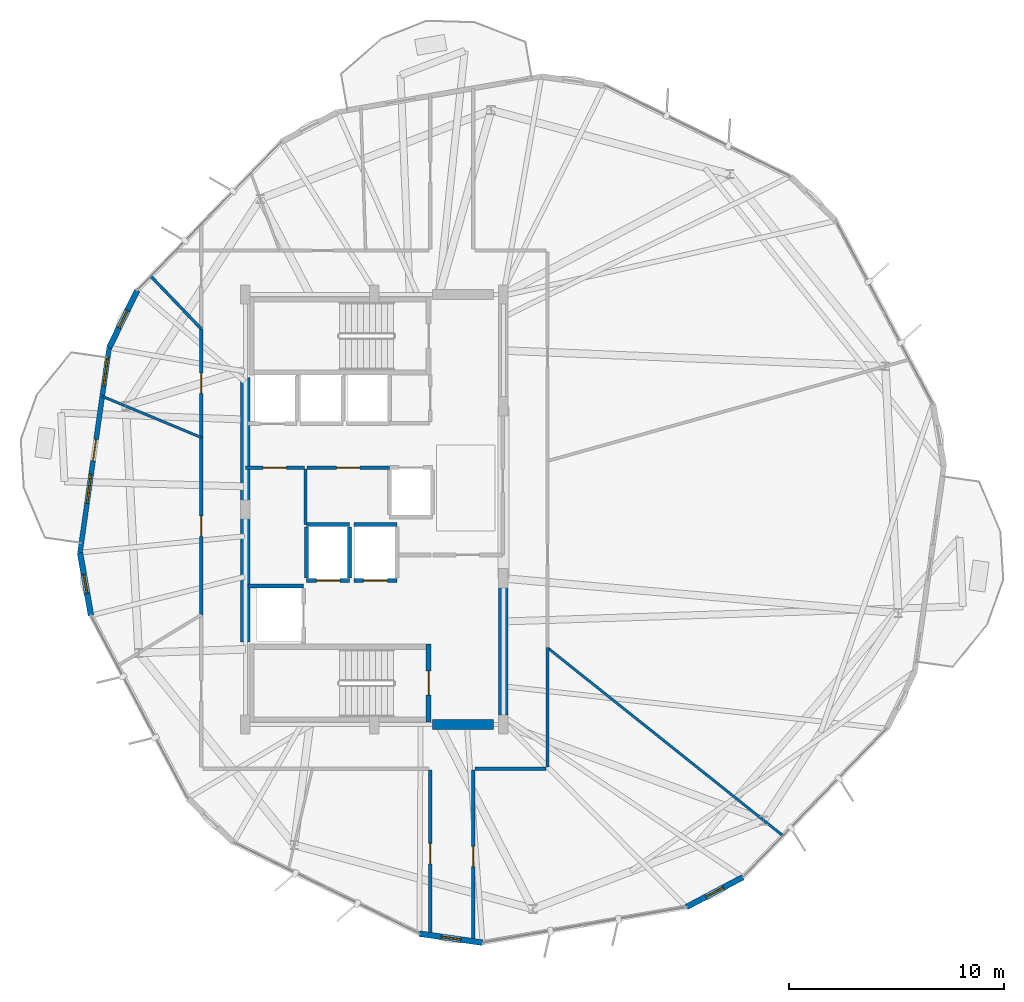
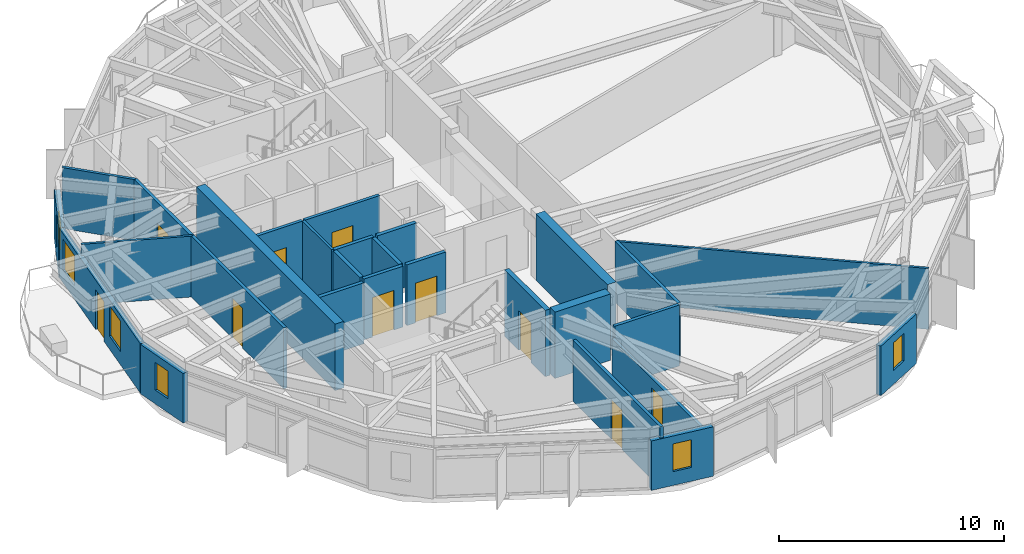
# One storey, part 23 of 28: 28 walls, 10 doors, 6 windows, 16 openings.
"""IFC4 building model written with IfcOpenShell, lengths in metres."""

import ifcopenshell
import ifcopenshell.guid

model = None  # the IFC model being written
_history = None  # IfcOwnerHistory: only IFC2X3 demands one
_inside = {}  # id of a spatial element -> (the spatial element, [elements in it])
_under = {}  # id of a project, library or spatial element -> (it, [spatial elements below it])
_declared = {}  # id of a project -> (the project, [libraries it declares])
_typed = {}  # id of a type object -> (the type object, [elements of that type])
_made_of = {}  # id of a material, layer set ... -> (it, [elements and type objects made of it])


def new_model(schema):
    """Start an empty IFC model of exactly this schema.

    Asked for "IFC4X3", IfcOpenShell would pick the latest addendum, in which some entities
    have other attributes; the version numbers below select the first issue.
    IFC2X3 requires an IfcOwnerHistory on every rooted entity: one is made here for all.
    """
    global model, _history
    if schema == "IFC4X3":
        model = ifcopenshell.file(schema_version=(4, 3, 0, 0))
    else:
        model = ifcopenshell.file(schema=schema)
    _inside.clear()
    _under.clear()
    _declared.clear()
    _typed.clear()
    _made_of.clear()
    _history = None
    if model.schema == "IFC2X3":
        org = make("IfcOrganization", Name="unknown")
        user = make(
            "IfcPersonAndOrganization",
            ThePerson=make("IfcPerson", FamilyName="unknown"),
            TheOrganization=org,
        )
        app = make(
            "IfcApplication",
            ApplicationDeveloper=org,
            Version="unknown",
            ApplicationFullName="unknown",
            ApplicationIdentifier="unknown",
        )
        _history = make(
            "IfcOwnerHistory",
            OwningUser=user,
            OwningApplication=app,
            ChangeAction="ADDED",
            CreationDate=0,
        )
    return model


def make(cls, **values):
    """One entity of the class cls with the attributes given. An attribute that is None is left unset."""
    return model.create_entity(
        cls, **{name: value for name, value in values.items() if value is not None}
    )


def rooted(cls, **values):
    """An entity with a GlobalId (a new one), such as an element, a storey or a relation."""
    return make(cls, GlobalId=ifcopenshell.guid.new(), OwnerHistory=_history, **values)


def si_unit(unit_type, name, prefix=None):
    """IfcSIUnit, for example si_unit("LENGTHUNIT", "METRE", prefix="MILLI")."""
    return make("IfcSIUnit", UnitType=unit_type, Prefix=prefix, Name=name)


def assignment(units):
    """IfcUnitAssignment: the units of a project."""
    return None if units is None else make("IfcUnitAssignment", Units=units)


def point(xyz):
    """IfcCartesianPoint."""
    return None if xyz is None else make("IfcCartesianPoint", Coordinates=xyz)


def direction(xyz):
    """IfcDirection."""
    return None if xyz is None else make("IfcDirection", DirectionRatios=xyz)


def frame(location, z_axis=None, x_axis=None):
    """IfcAxis2Placement3D, a coordinate frame: its origin and axes. An axis left out is left unset."""
    return make(
        "IfcAxis2Placement3D",
        Location=point(location),
        Axis=direction(z_axis),
        RefDirection=direction(x_axis),
    )


def frame_2d(location, x_axis=None):
    """IfcAxis2Placement2D, a coordinate frame in the plane: its origin and x axis."""
    return make(
        "IfcAxis2Placement2D", Location=point(location), RefDirection=direction(x_axis)
    )


def origin():
    """The frame at (0, 0, 0) with its axes left unset."""
    return frame((0.0, 0.0, 0.0))


def place(relative_to, where):
    """IfcLocalPlacement: puts the frame where relative to a parent placement (None: the world)."""
    return make(
        "IfcLocalPlacement", PlacementRelTo=relative_to, RelativePlacement=where
    )


def context(
    kind, dimensions, precision=None, world=None, true_north=None, identifier=None
):
    """IfcGeometricRepresentationContext, for example the 3D "Model" context."""
    return make(
        "IfcGeometricRepresentationContext",
        ContextIdentifier=identifier,
        ContextType=kind,
        CoordinateSpaceDimension=dimensions,
        Precision=precision,
        WorldCoordinateSystem=world,
        TrueNorth=true_north,
    )


def subcontext(parent, identifier, kind, view, scale=None):
    """IfcGeometricRepresentationSubContext, for example "Body" below "Model"."""
    return make(
        "IfcGeometricRepresentationSubContext",
        ContextIdentifier=identifier,
        ContextType=kind,
        ParentContext=parent,
        TargetScale=scale,
        TargetView=view,
    )


def project(units=None, contexts=None):
    """IfcProject with its units and contexts."""
    return rooted(
        "IfcProject",
        Name="project",
        RepresentationContexts=contexts,
        UnitsInContext=assignment(units),
    )


def spatial(cls, under=None, at=None, **own):
    """A site, building, storey or space (cls), placed at a placement, below another one or the project."""
    s = rooted(cls, ObjectPlacement=at, **own)
    if under is not None:
        _under.setdefault(under.id(), (under, []))[1].append(s)
    return s


def profile(cls, at=None, kind="AREA", **sizes):
    """A parametric profile (cls). Its sizes go by their IFC names, for example OverallWidth=200.0."""
    return make(cls, ProfileType=kind, Position=at, **sizes)


def rectangle(**sizes):
    """IfcRectangleProfileDef."""
    return profile("IfcRectangleProfileDef", **sizes)


def extrude(swept, where, along, depth):
    """IfcExtrudedAreaSolid: the profile swept, set in the frame where, extruded along a direction by depth."""
    return make(
        "IfcExtrudedAreaSolid",
        SweptArea=swept,
        Position=where,
        ExtrudedDirection=direction(along),
        Depth=depth,
    )


def shape(context_of_items, identifier, shape_type, items):
    """IfcShapeRepresentation: the items that make up one representation, for example the "Body"."""
    return make(
        "IfcShapeRepresentation",
        ContextOfItems=context_of_items,
        RepresentationIdentifier=identifier,
        RepresentationType=shape_type,
        Items=items,
    )


def material(Name=None, Category=None):
    """IfcMaterial."""
    return make("IfcMaterial", Name=Name, Category=Category)


def layer(
    of_material, thickness, ventilated=None, Name=None, Category=None, Priority=None
):
    """IfcMaterialLayer: one layer of a wall or slab, of a material (None: an air gap)."""
    return make(
        "IfcMaterialLayer",
        Material=of_material,
        LayerThickness=thickness,
        IsVentilated=ventilated,
        Name=Name,
        Category=Category,
        Priority=Priority,
    )


def layer_set(layers, Name=None):
    """IfcMaterialLayerSet."""
    return make("IfcMaterialLayerSet", MaterialLayers=layers, LayerSetName=Name)


def made_of(thing, what):
    """Note that an element or type object is made of a material, layer set ...; save() writes the relation."""
    if what is not None:
        _made_of.setdefault(what.id(), (what, []))[1].append(thing)
    return thing


def type_object(cls, material=None, **own):
    """A type object (cls), such as IfcWallType, which elements share."""
    return made_of(rooted(cls, **own), material)


def element(
    cls,
    number,
    at=None,
    inside=None,
    cuts=None,
    type_object=None,
    material=None,
    context=None,
    identifier="Body",
    shape_type=None,
    held_by="IfcProductDefinitionShape",
    body=None,
    shapes=None,
    **own,
):
    """One element of the class cls, such as IfcWall. Its Tag is "e" and its number.

    at: its placement. inside: the storey or other place that contains it. cuts: it is an
    opening in that element (IfcRelVoidsElement). A single representation is given by context,
    identifier, shape_type and body (its items); several are given by shapes. held_by: the class
    of the entity that holds the representations. save() writes the other relations.
    """
    e = rooted(cls, Tag="e%d" % number, ObjectPlacement=at, **own)
    if body is not None:
        shapes = [shape(context, identifier, shape_type, body)]
    if shapes is not None:
        e.Representation = make(held_by, Representations=shapes)
    if inside is not None:
        _inside.setdefault(inside.id(), (inside, []))[1].append(e)
    if cuts is not None:
        rooted(
            "IfcRelVoidsElement", RelatingBuildingElement=cuts, RelatedOpeningElement=e
        )
    if type_object is not None:
        _typed.setdefault(type_object.id(), (type_object, []))[1].append(e)
    return made_of(e, material)


def fill(opening, filler):
    """IfcRelFillsElement: the door or window that sits in an opening."""
    return rooted(
        "IfcRelFillsElement",
        RelatingOpeningElement=opening,
        RelatedBuildingElement=filler,
    )


def aggregate(whole, parts):
    """IfcRelAggregates: a whole, such as a stair, and the parts it consists of."""
    return rooted("IfcRelAggregates", RelatingObject=whole, RelatedObjects=parts)


def save(model, path):
    """Write the relations noted so far, then the file.

    IfcRelAggregates (storeys below a building ...), IfcRelContainedInSpatialStructure (elements
    in a storey), IfcRelDefinesByType, IfcRelAssociatesMaterial and IfcRelDeclares: one each for
    every whole, place, type object, material and project.
    """
    for whole, parts in _under.values():
        aggregate(whole, parts)
    for where, things in _inside.values():
        rooted(
            "IfcRelContainedInSpatialStructure",
            RelatedElements=things,
            RelatingStructure=where,
        )
    for kind, things in _typed.values():
        rooted("IfcRelDefinesByType", RelatedObjects=things, RelatingType=kind)
    for what, things in _made_of.values():
        rooted("IfcRelAssociatesMaterial", RelatedObjects=things, RelatingMaterial=what)
    for by, libraries in _declared.values():
        rooted("IfcRelDeclares", RelatingContext=by, RelatedDefinitions=libraries)
    model.write(path)


model = new_model("IFC4")

# Units and contexts
model_context = context("Model", 3, precision=1e-05, world=origin(), true_north=direction((0.0, 1.0)))
body_context = subcontext(model_context, "Body", "Model", "MODEL_VIEW")
ifc_project = project(units=[si_unit("LENGTHUNIT", "METRE"), si_unit("AREAUNIT", "SQUARE_METRE"), si_unit("VOLUMEUNIT", "CUBIC_METRE"), si_unit("PLANEANGLEUNIT", "RADIAN"), si_unit("MASSUNIT", "GRAM", prefix="KILO")], contexts=[model_context])

# Site, building, storey
site_placement = place(None, origin())
site = spatial("IfcSite", under=ifc_project, at=site_placement, CompositionType="ELEMENT")
building_placement = place(site_placement, origin())
building = spatial("IfcBuilding", under=site, at=building_placement, Name="Soratama Intermodal Tower", CompositionType="ELEMENT")
storey_placement = place(building_placement, frame((0.0, 0.0, 201.39990234375)))
storey = spatial("IfcBuildingStorey", under=building, at=storey_placement, Name="L50", CompositionType="ELEMENT", Elevation=201.39990234375)

# Wall, openings, door, windows
ifc_material_1 = material(Name="Concrete f'c 42 MPa", Category="concrete")
ifc_layer_1 = layer(ifc_material_1, 0.22998046875)
ifc_layer_set_1 = layer_set([ifc_layer_1], Name="Concrete f'c 42 MPa")
wall_type_1 = type_object("IfcWallType", Name="EW-BAL-230", PredefinedType="SOLIDWALL", material=ifc_layer_set_1)
wall_1_placement = place(storey_placement, frame((26.263671875, 32.527099609375, 0.0), z_axis=(0.0, 0.0, 1.0), x_axis=(-0.14089216596, -0.990024947954, 0.0)))
wall_1 = element("IfcWall", 1, at=wall_1_placement, inside=storey, type_object=wall_type_1, Name="L50 Terrace Wall F04", PredefinedType="SOLIDWALL", context=body_context, shape_type="SweptSolid", body=[
    extrude(rectangle(XDim=9.6240234375, YDim=0.22998046875, at=frame_2d((4.81201171875, 0.0))), origin(), (0.0, 0.0, 1.0), 2.67919921875),
])
opening_1_placement = place(wall_1_placement, frame((4.31201171875, 0.0, 0.0)))
opening_1 = element("IfcOpeningElement", 2, at=opening_1_placement, cuts=wall_1, Name="Opening ED-2", PredefinedType="OPENING", context=body_context, shape_type="SweptSolid", body=[
    extrude(rectangle(XDim=1.0, YDim=2.14990234375, at=frame_2d((0.5, 1.074951171875))), frame((0.0, 0.125, 0.0), z_axis=(0.0, -1.0, 0.0), x_axis=(1.0, 0.0, 0.0)), (0.0, 0.0, 1.0), 0.25),
])
opening_2_placement = place(wall_1_placement, frame((0.43994140625, 0.0, 0.719970703125)))
opening_2 = element("IfcOpeningElement", 3, at=opening_2_placement, cuts=wall_1, Name="Opening WN-4", PredefinedType="OPENING", context=body_context, shape_type="SweptSolid", body=[
    extrude(rectangle(XDim=1.35009765625, YDim=1.64990234375, at=frame_2d((0.675048828125, 0.824951171875))), frame((0.0, 0.125, 0.0), z_axis=(0.0, -1.0, 0.0), x_axis=(1.0, 0.0, 0.0)), (0.0, 0.0, 1.0), 0.25),
])
opening_3_placement = place(wall_1_placement, frame((5.9521484375, 0.0, 0.719970703125)))
opening_3 = element("IfcOpeningElement", 4, at=opening_3_placement, cuts=wall_1, Name="Opening WN-4", PredefinedType="OPENING", context=body_context, shape_type="SweptSolid", body=[
    extrude(rectangle(XDim=1.35009765625, YDim=1.64990234375, at=frame_2d((0.675048828125, 0.824951171875))), frame((0.0, 0.125, 0.0), z_axis=(0.0, -1.0, 0.0), x_axis=(1.0, 0.0, 0.0)), (0.0, 0.0, 1.0), 0.25),
])
ifc_material_2 = material(Name="Double-glazed aluminium door", Category="aluminium")
door_type_1 = type_object("IfcDoorType", Name="DR-BAL-1000", OperationType="NOTDEFINED", PredefinedType="DOOR", material=ifc_material_2)
door_1_placement = place(opening_1_placement, origin())
door_1 = element("IfcDoor", 5, at=door_1_placement, inside=storey, type_object=door_type_1, Name="L50 Balcony Door F04", OperationType="SINGLE_SWING_RIGHT", OverallHeight=2.14990234375, OverallWidth=1.0, PredefinedType="DOOR", context=body_context, shape_type="SweptSolid", body=[
    extrude(rectangle(XDim=1.0, YDim=2.14990234375, at=frame_2d((0.5, 1.074951171875))), frame((0.0, 0.02490234375, 0.0), z_axis=(0.0, -1.0, 0.0), x_axis=(1.0, 0.0, 0.0)), (0.0, 0.0, 1.0), 0.050048828125),
])
fill(opening_1, door_1)
ifc_material_3 = material(Name="Double-glazed aluminium window", Category="aluminium")
window_type_1 = type_object("IfcWindowType", Name="WN-FAC-1350", PartitioningType="SINGLE_PANEL", PredefinedType="WINDOW", material=ifc_material_3)
window_1_placement = place(opening_2_placement, origin())
window_1 = element("IfcWindow", 6, at=window_1_placement, inside=storey, type_object=window_type_1, Name="L50 Window A F04", OverallHeight=1.64990234375, OverallWidth=1.35009765625, PartitioningType="SINGLE_PANEL", PredefinedType="WINDOW", context=body_context, shape_type="SweptSolid", body=[
    extrude(rectangle(XDim=1.35009765625, YDim=1.64990234375, at=frame_2d((0.675048828125, 0.824951171875))), frame((0.0, 0.030029296875, 0.0), z_axis=(0.0, -1.0, 0.0), x_axis=(1.0, 0.0, 0.0)), (0.0, 0.0, 1.0), 0.06005859375),
])
fill(opening_2, window_1)
window_2_placement = place(opening_3_placement, origin())
window_2 = element("IfcWindow", 7, at=window_2_placement, inside=storey, type_object=window_type_1, Name="L50 Window B F04", OverallHeight=1.64990234375, OverallWidth=1.35009765625, PartitioningType="SINGLE_PANEL", PredefinedType="WINDOW", context=body_context, shape_type="SweptSolid", body=[
    extrude(rectangle(XDim=1.35009765625, YDim=1.64990234375, at=frame_2d((0.675048828125, 0.824951171875))), frame((0.0, 0.030029296875, 0.0), z_axis=(0.0, -1.0, 0.0), x_axis=(1.0, 0.0, 0.0)), (0.0, 0.0, 1.0), 0.06005859375),
])
fill(opening_3, window_2)

# Wall, opening, window
ifc_material_4 = material(Name="Concrete f'c 42 MPa", Category="concrete")
ifc_layer_2 = layer(ifc_material_4, 0.27001953125)
ifc_layer_set_2 = layer_set([ifc_layer_2], Name="Concrete f'c 42 MPa")
wall_type_2 = type_object("IfcWallType", Name="EW-CRN-270", PredefinedType="SOLIDWALL", material=ifc_layer_set_2)
wall_2_placement = place(storey_placement, frame((27.56884765625, 35.191162109375, 0.0), z_axis=(0.0, 0.0, 1.0), x_axis=(-0.439956847616, -0.898018915299, 0.0)))
wall_2 = element("IfcWall", 8, at=wall_2_placement, inside=storey, type_object=wall_type_2, Name="L50 Corner Closure Wall 03", PredefinedType="SOLIDWALL", context=body_context, shape_type="SweptSolid", body=[
    extrude(rectangle(XDim=2.966552734375, YDim=0.27001953125, at=frame_2d((1.4833984375, 0.0))), origin(), (0.0, 0.0, 1.0), 2.67919921875),
])
opening_4_placement = place(wall_2_placement, frame((1.033203125, 0.0, 0.75)))
opening_4 = element("IfcOpeningElement", 9, at=opening_4_placement, cuts=wall_2, Name="Opening WN-6", PredefinedType="OPENING", context=body_context, shape_type="SweptSolid", body=[
    extrude(rectangle(XDim=0.89990234375, YDim=1.5, at=frame_2d((0.449951171875, 0.75))), frame((0.0, 0.14501953125, 0.0), z_axis=(0.0, -1.0, 0.0), x_axis=(1.0, 0.0, 0.0)), (0.0, 0.0, 1.0), 0.2900390625),
])
ifc_material_5 = material(Name="Double-glazed aluminium window", Category="aluminium")
window_type_2 = type_object("IfcWindowType", Name="WN-FAC-900", PartitioningType="SINGLE_PANEL", PredefinedType="WINDOW", material=ifc_material_5)
window_3_placement = place(opening_4_placement, origin())
window_3 = element("IfcWindow", 10, at=window_3_placement, inside=storey, type_object=window_type_2, Name="L50 Corner Window 03", OverallHeight=1.5, OverallWidth=0.89990234375, PartitioningType="SINGLE_PANEL", PredefinedType="WINDOW", context=body_context, shape_type="SweptSolid", body=[
    extrude(rectangle(XDim=0.89990234375, YDim=1.5, at=frame_2d((0.449951171875, 0.75))), frame((0.0, 0.030029296875, 0.0), z_axis=(0.0, -1.0, 0.0), x_axis=(1.0, 0.0, 0.0)), (0.0, 0.0, 1.0), 0.06005859375),
])
fill(opening_4, window_3)

wall_3_placement = place(storey_placement, frame((24.90771484375, 22.9990234375, 0.0), z_axis=(0.0, 0.0, 1.0), x_axis=(0.171921159352, -0.985110712036, 0.0)))
wall_3 = element("IfcWall", 11, at=wall_3_placement, inside=storey, type_object=wall_type_2, Name="L50 Corner Closure Wall 04", PredefinedType="SOLIDWALL", context=body_context, shape_type="SweptSolid", body=[
    extrude(rectangle(XDim=2.966552734375, YDim=0.27001953125, at=frame_2d((1.4833984375, 0.0))), origin(), (0.0, 0.0, 1.0), 2.67919921875),
])
opening_5_placement = place(wall_3_placement, frame((1.033203125, 0.0, 0.75)))
opening_5 = element("IfcOpeningElement", 12, at=opening_5_placement, cuts=wall_3, Name="Opening WN-6", PredefinedType="OPENING", context=body_context, shape_type="SweptSolid", body=[
    extrude(rectangle(XDim=0.89990234375, YDim=1.5, at=frame_2d((0.449951171875, 0.75))), frame((0.0, 0.14501953125, 0.0), z_axis=(0.0, -1.0, 0.0), x_axis=(1.0, 0.0, 0.0)), (0.0, 0.0, 1.0), 0.2900390625),
])
window_4_placement = place(opening_5_placement, origin())
window_4 = element("IfcWindow", 13, at=window_4_placement, inside=storey, type_object=window_type_2, Name="L50 Corner Window 04", OverallHeight=1.5, OverallWidth=0.89990234375, PartitioningType="SINGLE_PANEL", PredefinedType="WINDOW", context=body_context, shape_type="SweptSolid", body=[
    extrude(rectangle(XDim=0.89990234375, YDim=1.5, at=frame_2d((0.449951171875, 0.75))), frame((0.0, 0.030029296875, 0.0), z_axis=(0.0, -1.0, 0.0), x_axis=(1.0, 0.0, 0.0)), (0.0, 0.0, 1.0), 0.06005859375),
])
fill(opening_5, window_4)

wall_4_placement = place(storey_placement, frame((40.694091796875, 5.272705078125, 0.0), z_axis=(0.0, 0.0, 1.0), x_axis=(0.990025064431, -0.14089134749, 0.0)))
wall_4 = element("IfcWall", 14, at=wall_4_placement, inside=storey, type_object=wall_type_2, Name="L50 Corner Closure Wall 06", PredefinedType="SOLIDWALL", context=body_context, shape_type="SweptSolid", body=[
    extrude(rectangle(XDim=2.966552734375, YDim=0.27001953125, at=frame_2d((1.4833984375, 0.0))), origin(), (0.0, 0.0, 1.0), 2.67919921875),
])
opening_6_placement = place(wall_4_placement, frame((1.033203125, 0.0, 0.75)))
opening_6 = element("IfcOpeningElement", 15, at=opening_6_placement, cuts=wall_4, Name="Opening WN-6", PredefinedType="OPENING", context=body_context, shape_type="SweptSolid", body=[
    extrude(rectangle(XDim=0.89990234375, YDim=1.5, at=frame_2d((0.449951171875, 0.75))), frame((0.0, 0.14501953125, 0.0), z_axis=(0.0, -1.0, 0.0), x_axis=(1.0, 0.0, 0.0)), (0.0, 0.0, 1.0), 0.2900390625),
])
window_5_placement = place(opening_6_placement, origin())
window_5 = element("IfcWindow", 16, at=window_5_placement, inside=storey, type_object=window_type_2, Name="L50 Corner Window 06", OverallHeight=1.5, OverallWidth=0.89990234375, PartitioningType="SINGLE_PANEL", PredefinedType="WINDOW", context=body_context, shape_type="SweptSolid", body=[
    extrude(rectangle(XDim=0.89990234375, YDim=1.5, at=frame_2d((0.449951171875, 0.75))), frame((0.0, 0.030029296875, 0.0), z_axis=(0.0, -1.0, 0.0), x_axis=(1.0, 0.0, 0.0)), (0.0, 0.0, 1.0), 0.06005859375),
])
fill(opening_6, window_5)

wall_5_placement = place(storey_placement, frame((53.11181640625, 6.509521484375, 0.0), z_axis=(0.0, 0.0, 1.0), x_axis=(0.883799927138, 0.467865032664, 0.0)))
wall_5 = element("IfcWall", 17, at=wall_5_placement, inside=storey, type_object=wall_type_2, Name="L50 Corner Closure Wall 07", PredefinedType="SOLIDWALL", context=body_context, shape_type="SweptSolid", body=[
    extrude(rectangle(XDim=2.966552734375, YDim=0.27001953125, at=frame_2d((1.4833984375, 0.0))), origin(), (0.0, 0.0, 1.0), 2.67919921875),
])
opening_7_placement = place(wall_5_placement, frame((1.033203125, 0.0, 0.75)))
opening_7 = element("IfcOpeningElement", 18, at=opening_7_placement, cuts=wall_5, Name="Opening WN-6", PredefinedType="OPENING", context=body_context, shape_type="SweptSolid", body=[
    extrude(rectangle(XDim=0.89990234375, YDim=1.5, at=frame_2d((0.449951171875, 0.75))), frame((0.0, 0.14501953125, 0.0), z_axis=(0.0, -1.0, 0.0), x_axis=(1.0, 0.0, 0.0)), (0.0, 0.0, 1.0), 0.2900390625),
])
window_6_placement = place(opening_7_placement, origin())
window_6 = element("IfcWindow", 19, at=window_6_placement, inside=storey, type_object=window_type_2, Name="L50 Corner Window 07", OverallHeight=1.5, OverallWidth=0.89990234375, PartitioningType="SINGLE_PANEL", PredefinedType="WINDOW", context=body_context, shape_type="SweptSolid", body=[
    extrude(rectangle(XDim=0.89990234375, YDim=1.5, at=frame_2d((0.449951171875, 0.75))), frame((0.0, 0.030029296875, 0.0), z_axis=(0.0, -1.0, 0.0), x_axis=(1.0, 0.0, 0.0)), (0.0, 0.0, 1.0), 0.06005859375),
])
fill(opening_7, window_6)

# Wall, opening, door
ifc_material_6 = material(Name="Fire-rated gypsum stud partition", Category="concrete")
ifc_layer_3 = layer(ifc_material_6, 0.159912109375)
ifc_layer_set_3 = layer_set([ifc_layer_3], Name="Fire-rated gypsum stud partition")
wall_type_3 = type_object("IfcWallType", Name="IW-PART-R160", PredefinedType="PARTITIONING", material=ifc_layer_set_3)
wall_6_placement = place(storey_placement, frame((30.550048828125, 20.10595703125, 0.0), z_axis=(0.0, 0.0, 1.0), x_axis=(0.0, 1.0, 0.0)))
wall_6 = element("IfcWall", 20, at=wall_6_placement, inside=storey, type_object=wall_type_3, Name="L50 Partition W-L50-TP005", PredefinedType="PARTITIONING", context=body_context, shape_type="SweptSolid", body=[
    extrude(rectangle(XDim=8.2451171875, YDim=0.159912109375, at=frame_2d((4.12255859375, 0.0))), origin(), (0.0, 0.0, 1.0), 3.300048828125),
])
opening_8_placement = place(wall_6_placement, frame((3.64697265625, 0.0, 0.0)))
opening_8 = element("IfcOpeningElement", 21, at=opening_8_placement, cuts=wall_6, Name="Opening ID-3", PredefinedType="OPENING", context=body_context, shape_type="SweptSolid", body=[
    extrude(rectangle(XDim=0.949951171875, YDim=2.14990234375, at=frame_2d((0.47509765625, 1.074951171875))), frame((0.0, 0.08984375, 0.0), z_axis=(0.0, -1.0, 0.0), x_axis=(1.0, 0.0, 0.0)), (0.0, 0.0, 1.0), 0.179931640625),
])
ifc_material_7 = material(Name="Solid hardwood acoustic door", Category="wood")
door_type_2 = type_object("IfcDoorType", Name="DR-ROOM-950", OperationType="NOTDEFINED", PredefinedType="DOOR", material=ifc_material_7)
door_2_placement = place(opening_8_placement, origin())
door_2 = element("IfcDoor", 22, at=door_2_placement, inside=storey, type_object=door_type_2, Name="L50 Door D-L50-TP003", OperationType="SINGLE_SWING_RIGHT", OverallHeight=2.14990234375, OverallWidth=0.949951171875, PredefinedType="DOOR", context=body_context, shape_type="SweptSolid", body=[
    extrude(rectangle(XDim=0.949951171875, YDim=2.14990234375, at=frame_2d((0.47509765625, 1.074951171875))), frame((0.0, 0.02490234375, 0.0), z_axis=(0.0, -1.0, 0.0), x_axis=(1.0, 0.0, 0.0)), (0.0, 0.0, 1.0), 0.050048828125),
])
fill(opening_8, door_2)

wall_7_placement = place(storey_placement, frame((43.199951171875, 12.8798828125, 0.0), z_axis=(0.0, 0.0, 1.0), x_axis=(0.0, -1.0, 0.0)))
wall_7 = element("IfcWall", 23, at=wall_7_placement, inside=storey, type_object=wall_type_3, Name="L50 Partition W-L50-TP006", PredefinedType="PARTITIONING", context=body_context, shape_type="SweptSolid", body=[
    extrude(rectangle(XDim=8.031982421875, YDim=0.159912109375, at=frame_2d((4.01611328125, 0.0))), origin(), (0.0, 0.0, 1.0), 2.677978515625),
])
opening_9_placement = place(wall_7_placement, frame((3.541015625, 0.0, 0.0)))
opening_9 = element("IfcOpeningElement", 24, at=opening_9_placement, cuts=wall_7, Name="Opening ID-3", PredefinedType="OPENING", context=body_context, shape_type="SweptSolid", body=[
    extrude(rectangle(XDim=0.949951171875, YDim=2.14990234375, at=frame_2d((0.47509765625, 1.074951171875))), frame((0.0, 0.08984375, 0.0), z_axis=(0.0, -1.0, 0.0), x_axis=(1.0, 0.0, 0.0)), (0.0, 0.0, 1.0), 0.179931640625),
])
door_3_placement = place(opening_9_placement, origin())
door_3 = element("IfcDoor", 25, at=door_3_placement, inside=storey, type_object=door_type_2, Name="L50 Door D-L50-TP004", OperationType="SINGLE_SWING_LEFT", OverallHeight=2.14990234375, OverallWidth=0.949951171875, PredefinedType="DOOR", context=body_context, shape_type="SweptSolid", body=[
    extrude(rectangle(XDim=0.949951171875, YDim=2.14990234375, at=frame_2d((0.47509765625, 1.074951171875))), frame((0.0, 0.02490234375, 0.0), z_axis=(0.0, -1.0, 0.0), x_axis=(1.0, 0.0, 0.0)), (0.0, 0.0, 1.0), 0.050048828125),
])
fill(opening_9, door_3)

wall_8_placement = place(storey_placement, frame((41.199951171875, 5.116943359375, 0.0), z_axis=(0.0, 0.0, 1.0), x_axis=(0.0, 1.0, 0.0)))
wall_8 = element("IfcWall", 26, at=wall_8_placement, inside=storey, type_object=wall_type_3, Name="L50 Partition W-L50-TP007", PredefinedType="PARTITIONING", context=body_context, shape_type="SweptSolid", body=[
    extrude(rectangle(XDim=7.762939453125, YDim=0.159912109375, at=frame_2d((3.88134765625, 0.0))), origin(), (0.0, 0.0, 1.0), 3.300048828125),
])
opening_10_placement = place(wall_8_placement, frame((3.406982421875, 0.0, 0.0)))
opening_10 = element("IfcOpeningElement", 27, at=opening_10_placement, cuts=wall_8, Name="Opening ID-3", PredefinedType="OPENING", context=body_context, shape_type="SweptSolid", body=[
    extrude(rectangle(XDim=0.949951171875, YDim=2.14990234375, at=frame_2d((0.47509765625, 1.074951171875))), frame((0.0, 0.08984375, 0.0), z_axis=(0.0, -1.0, 0.0), x_axis=(1.0, 0.0, 0.0)), (0.0, 0.0, 1.0), 0.179931640625),
])
door_4_placement = place(opening_10_placement, origin())
door_4 = element("IfcDoor", 28, at=door_4_placement, inside=storey, type_object=door_type_2, Name="L50 Door D-L50-TP005", OperationType="SINGLE_SWING_RIGHT", OverallHeight=2.14990234375, OverallWidth=0.949951171875, PredefinedType="DOOR", context=body_context, shape_type="SweptSolid", body=[
    extrude(rectangle(XDim=0.949951171875, YDim=2.14990234375, at=frame_2d((0.47509765625, 1.074951171875))), frame((0.0, 0.02490234375, 0.0), z_axis=(0.0, -1.0, 0.0), x_axis=(1.0, 0.0, 0.0)), (0.0, 0.0, 1.0), 0.050048828125),
])
fill(opening_10, door_4)

# Wall
wall_9_placement = place(storey_placement, frame((46.64990234375, 18.572998046875, 0.0), z_axis=(0.0, 0.0, 1.0), x_axis=(0.0, -1.0, 0.0)))
element("IfcWall", 29, at=wall_9_placement, inside=storey, type_object=wall_type_3, Name="L50 Partition W-L50-TP013", PredefinedType="PARTITIONING", context=body_context, shape_type="SweptSolid", body=[
    extrude(rectangle(XDim=5.552978515625, YDim=0.159912109375, at=frame_2d((2.7763671875, 0.0))), origin(), (0.0, 0.0, 1.0), 3.300048828125),
])

# Wall, opening, door
wall_10_placement = place(storey_placement, frame((30.550048828125, 28.35107421875, 0.0), z_axis=(0.0, 0.0, 1.0), x_axis=(0.0, 1.0, 0.0)))
wall_10 = element("IfcWall", 30, at=wall_10_placement, inside=storey, type_object=wall_type_3, Name="L50 Partition W-L50-TP016", PredefinedType="PARTITIONING", context=body_context, shape_type="SweptSolid", body=[
    extrude(rectangle(XDim=5.0498046875, YDim=0.159912109375, at=frame_2d((2.52490234375, 0.0))), origin(), (0.0, 0.0, 1.0), 3.300048828125),
])
opening_11_placement = place(wall_10_placement, frame((2.050048828125, 0.0, 0.0)))
opening_11 = element("IfcOpeningElement", 31, at=opening_11_placement, cuts=wall_10, Name="Opening ID-3", PredefinedType="OPENING", context=body_context, shape_type="SweptSolid", body=[
    extrude(rectangle(XDim=0.949951171875, YDim=2.14990234375, at=frame_2d((0.47509765625, 1.074951171875))), frame((0.0, 0.08984375, 0.0), z_axis=(0.0, -1.0, 0.0), x_axis=(1.0, 0.0, 0.0)), (0.0, 0.0, 1.0), 0.179931640625),
])
door_5_placement = place(opening_11_placement, origin())
door_5 = element("IfcDoor", 32, at=door_5_placement, inside=storey, type_object=door_type_2, Name="L50 Door D-L50-TP009", OperationType="SINGLE_SWING_RIGHT", OverallHeight=2.14990234375, OverallWidth=0.949951171875, PredefinedType="DOOR", context=body_context, shape_type="SweptSolid", body=[
    extrude(rectangle(XDim=0.949951171875, YDim=2.14990234375, at=frame_2d((0.47509765625, 1.074951171875))), frame((0.0, 0.02490234375, 0.0), z_axis=(0.0, -1.0, 0.0), x_axis=(1.0, 0.0, 0.0)), (0.0, 0.0, 1.0), 0.050048828125),
])
fill(opening_11, door_5)

wall_11_placement = place(storey_placement, frame((39.300048828125, 26.93994140625, 0.0), z_axis=(0.0, 0.0, 1.0), x_axis=(-1.0, 0.0, 0.0)))
wall_11 = element("IfcWall", 33, at=wall_11_placement, inside=storey, type_object=wall_type_3, Name="L50 Partition W-L50-TP023", PredefinedType="PARTITIONING", context=body_context, shape_type="SweptSolid", body=[
    extrude(rectangle(XDim=3.840087890625, YDim=0.159912109375, at=frame_2d((1.919921875, 0.0))), origin(), (0.0, 0.0, 1.0), 3.300048828125),
])
opening_12_placement = place(wall_11_placement, frame((1.3798828125, 0.0, 0.0)))
opening_12 = element("IfcOpeningElement", 34, at=opening_12_placement, cuts=wall_11, Name="Opening ID-1", PredefinedType="OPENING", context=body_context, shape_type="SweptSolid", body=[
    extrude(rectangle(XDim=1.080078125, YDim=2.14990234375, at=frame_2d((0.5400390625, 1.074951171875))), frame((0.0, 0.08984375, 0.0), z_axis=(0.0, -1.0, 0.0), x_axis=(1.0, 0.0, 0.0)), (0.0, 0.0, 1.0), 0.179931640625),
])
ifc_material_8 = material(Name="Solid hardwood acoustic door", Category="wood")
door_type_3 = type_object("IfcDoorType", Name="DR-LOB-FD60", OperationType="NOTDEFINED", PredefinedType="DOOR", material=ifc_material_8)
door_6_placement = place(opening_12_placement, origin())
door_6 = element("IfcDoor", 35, at=door_6_placement, inside=storey, type_object=door_type_3, Name="L50 Door D-L50-TP012", OperationType="SINGLE_SWING_LEFT", OverallHeight=2.14990234375, OverallWidth=1.080078125, PredefinedType="DOOR", context=body_context, shape_type="SweptSolid", body=[
    extrude(rectangle(XDim=1.080078125, YDim=2.14990234375, at=frame_2d((0.5400390625, 1.074951171875))), frame((0.0, 0.02490234375, 0.0), z_axis=(0.0, -1.0, 0.0), x_axis=(1.0, 0.0, 0.0)), (0.0, 0.0, 1.0), 0.050048828125),
])
fill(opening_12, door_6)

# Wall
wall_12_placement = place(storey_placement, frame((46.580078125, 12.949951171875, 0.0), z_axis=(0.0, 0.0, 1.0), x_axis=(-1.0, 0.0, 0.0)))
element("IfcWall", 36, at=wall_12_placement, inside=storey, type_object=wall_type_3, Name="L50 Partition W-L50-TP027", PredefinedType="PARTITIONING", context=body_context, shape_type="SweptSolid", body=[
    extrude(rectangle(XDim=3.31005859375, YDim=0.159912109375, at=frame_2d((1.655029296875, 0.0))), origin(), (0.0, 0.0, 1.0), 3.300048828125),
])

# Wall, opening, door
wall_13_placement = place(storey_placement, frame((35.340087890625, 26.93994140625, 0.0), z_axis=(0.0, 0.0, 1.0), x_axis=(-1.0, 0.0, 0.0)))
wall_13 = element("IfcWall", 37, at=wall_13_placement, inside=storey, type_object=wall_type_3, Name="L50 Partition W-L50-TP030", PredefinedType="PARTITIONING", context=body_context, shape_type="SweptSolid", body=[
    extrude(rectangle(XDim=2.739990234375, YDim=0.159912109375, at=frame_2d((1.3701171875, 0.0))), origin(), (0.0, 0.0, 1.0), 3.300048828125),
])
opening_13_placement = place(wall_13_placement, frame((0.830078125, 0.0, 0.0)))
opening_13 = element("IfcOpeningElement", 38, at=opening_13_placement, cuts=wall_13, Name="Opening ID-1", PredefinedType="OPENING", context=body_context, shape_type="SweptSolid", body=[
    extrude(rectangle(XDim=1.080078125, YDim=2.14990234375, at=frame_2d((0.5400390625, 1.074951171875))), frame((0.0, 0.08984375, 0.0), z_axis=(0.0, -1.0, 0.0), x_axis=(1.0, 0.0, 0.0)), (0.0, 0.0, 1.0), 0.179931640625),
])
door_7_placement = place(opening_13_placement, origin())
door_7 = element("IfcDoor", 39, at=door_7_placement, inside=storey, type_object=door_type_3, Name="L50 Door D-L50-TP014", OperationType="SINGLE_SWING_LEFT", OverallHeight=2.14990234375, OverallWidth=1.080078125, PredefinedType="DOOR", context=body_context, shape_type="SweptSolid", body=[
    extrude(rectangle(XDim=1.080078125, YDim=2.14990234375, at=frame_2d((0.5400390625, 1.074951171875))), frame((0.0, 0.02490234375, 0.0), z_axis=(0.0, -1.0, 0.0), x_axis=(1.0, 0.0, 0.0)), (0.0, 0.0, 1.0), 0.050048828125),
])
fill(opening_13, door_7)

# Walls
ifc_material_9 = material(Name="Fire-rated gypsum stud partition", Category="concrete")
ifc_layer_4 = layer(ifc_material_9, 0.1201171875)
ifc_layer_set_4 = layer_set([ifc_layer_4], Name="Fire-rated gypsum stud partition")
wall_type_4 = type_object("IfcWallType", Name="IW-PART-S120", PredefinedType="PARTITIONING", material=ifc_layer_set_4)
wall_14_placement = place(storey_placement, frame((46.64990234375, 18.572998046875, 0.0), z_axis=(0.0, 0.0, 1.0), x_axis=(0.781500547288, -0.623904555672, 0.0)))
element("IfcWall", 40, at=wall_14_placement, inside=storey, type_object=wall_type_4, Name="L50 Partition W-L50-TP002", PredefinedType="PARTITIONING", context=body_context, shape_type="SweptSolid", body=[
    extrude(rectangle(XDim=14.016845703125, YDim=0.1201171875, at=frame_2d((7.00830078125, 0.0))), origin(), (0.0, 0.0, 1.0), 3.300048828125),
])
wall_15_placement = place(storey_placement, frame((30.550048828125, 28.35107421875, 0.0), z_axis=(0.0, 0.0, 1.0), x_axis=(-0.923295305511, 0.384090847093, 0.0)))
element("IfcWall", 41, at=wall_15_placement, inside=storey, type_object=wall_type_4, Name="L50 Partition W-L50-TP017", PredefinedType="PARTITIONING", context=body_context, shape_type="SweptSolid", body=[
    extrude(rectangle(XDim=4.990966796875, YDim=0.1201171875, at=frame_2d((2.49560546875, 0.0))), origin(), (0.0, 0.0, 1.0), 3.300048828125),
])
ifc_material_10 = material(Name="Fire-rated gypsum stud partition", Category="concrete")
ifc_layer_5 = layer(ifc_material_10, 0.1298828125)
ifc_layer_set_5 = layer_set([ifc_layer_5], Name="Fire-rated gypsum stud partition")
wall_type_5 = type_object("IfcWallType", Name="IW-PART-S130", PredefinedType="PARTITIONING", material=ifc_layer_set_5)
wall_16_placement = place(storey_placement, frame((35.39990234375, 26.8798828125, 0.0), z_axis=(0.0, 0.0, 1.0), x_axis=(0.0, -1.0, 0.0)))
element("IfcWall", 42, at=wall_16_placement, inside=storey, type_object=wall_type_5, Name="L50 Partition W-L50-TP031", PredefinedType="PARTITIONING", context=body_context, shape_type="SweptSolid", body=[
    extrude(rectangle(XDim=2.579833984375, YDim=0.1298828125, at=frame_2d((1.2900390625, 0.0))), origin(), (0.0, 0.0, 1.0), 3.300048828125),
])
ifc_material_11 = material(Name="Fire-rated gypsum stud partition", Category="concrete")
ifc_layer_6 = layer(ifc_material_11, 0.139892578125)
ifc_layer_set_6 = layer_set([ifc_layer_6], Name="Fire-rated gypsum stud partition")
wall_type_6 = type_object("IfcWallType", Name="IW-PART-S140", PredefinedType="PARTITIONING", material=ifc_layer_set_6)
wall_17_placement = place(storey_placement, frame((30.550048828125, 33.40087890625, 0.0), z_axis=(0.0, 0.0, 1.0), x_axis=(-0.691891282154, 0.722001699222, 0.0)))
element("IfcWall", 43, at=wall_17_placement, inside=storey, type_object=wall_type_6, Name="L50 Partition W-L50-TP025", PredefinedType="PARTITIONING", context=body_context, shape_type="SweptSolid", body=[
    extrude(rectangle(XDim=3.38916015625, YDim=0.139892578125, at=frame_2d((1.694580078125, 0.0))), origin(), (0.0, 0.0, 1.0), 3.300048828125),
])

# Wall, opening, door
ifc_material_12 = material(Name="Concrete f'c 42 MPa", Category="concrete")
ifc_layer_7 = layer(ifc_material_12, 0.18505859375)
ifc_layer_set_7 = layer_set([ifc_layer_7], Name="Concrete f'c 42 MPa")
wall_type_7 = type_object("IfcWallType", Name="IW-SHAFT-185", PredefinedType="SOLIDWALL", material=ifc_layer_set_7)
wall_18_placement = place(storey_placement, frame((35.449951171875, 21.699951171875, 0.0), z_axis=(0.0, 0.0, 1.0), x_axis=(1.0, 0.0, 0.0)))
wall_18 = element("IfcWall", 44, at=wall_18_placement, inside=storey, type_object=wall_type_7, Name="L50 FFL-1 Hoistway Wall S", PredefinedType="SOLIDWALL", context=body_context, shape_type="SweptSolid", body=[
    extrude(rectangle(XDim=2.0, YDim=0.18505859375, at=frame_2d((1.0, 0.0))), origin(), (0.0, 0.0, 1.0), 3.300048828125),
])
opening_14_placement = place(wall_18_placement, frame((0.449951171875, 0.0, 0.0)))
opening_14 = element("IfcOpeningElement", 45, at=opening_14_placement, cuts=wall_18, Name="Opening LD-1", PredefinedType="OPENING", context=body_context, shape_type="SweptSolid", body=[
    extrude(rectangle(XDim=1.10009765625, YDim=2.14990234375, at=frame_2d((0.550048828125, 1.074951171875))), frame((0.0, 0.1025390625, 0.0), z_axis=(0.0, -1.0, 0.0), x_axis=(1.0, 0.0, 0.0)), (0.0, 0.0, 1.0), 0.205078125),
])
ifc_material_13 = material(Name="Steel fire door", Category="steel")
door_type_4 = type_object("IfcDoorType", Name="DR-LIFT-SLIDE", OperationType="NOTDEFINED", PredefinedType="DOOR", material=ifc_material_13)
door_8_placement = place(opening_14_placement, origin())
door_8 = element("IfcDoor", 46, at=door_8_placement, inside=storey, type_object=door_type_4, Name="L50 FFL-1 Sliding Landing Door", OperationType="SLIDING_TO_LEFT", OverallHeight=2.14990234375, OverallWidth=1.10009765625, PredefinedType="DOOR", context=body_context, shape_type="SweptSolid", body=[
    extrude(rectangle(XDim=1.10009765625, YDim=2.14990234375, at=frame_2d((0.550048828125, 1.074951171875))), frame((0.0, 0.02490234375, 0.0), z_axis=(0.0, -1.0, 0.0), x_axis=(1.0, 0.0, 0.0)), (0.0, 0.0, 1.0), 0.050048828125),
])
fill(opening_14, door_8)

# Walls
wall_19_placement = place(storey_placement, frame((35.449951171875, 24.300048828125, 0.0), z_axis=(0.0, 0.0, 1.0), x_axis=(1.0, 0.0, 0.0)))
element("IfcWall", 47, at=wall_19_placement, inside=storey, type_object=wall_type_7, Name="L50 FFL-1 Hoistway Wall N", PredefinedType="SOLIDWALL", context=body_context, shape_type="SweptSolid", body=[
    extrude(rectangle(XDim=2.0, YDim=0.18505859375, at=frame_2d((1.0, 0.0))), origin(), (0.0, 0.0, 1.0), 3.300048828125),
])
for number, where, z_axis, x_axis, name in (
    (48, (35.449951171875, 21.81005859375, 0.0), (0.0, 0.0, 1.0), (0.0, 1.0, 0.0), "L50 FFL-1 Hoistway Wall W"),
    (49, (37.449951171875, 21.81005859375, 0.0), (0.0, 0.0, 1.0), (0.0, 1.0, 0.0), "L50 FFL-1 Hoistway Wall E"),
):
    element("IfcWall", number, at=place(storey_placement, frame(where, z_axis=z_axis, x_axis=x_axis)), inside=storey, type_object=wall_type_7, Name=name, PredefinedType="SOLIDWALL", context=body_context, shape_type="SweptSolid", body=[
        extrude(rectangle(XDim=2.3798828125, YDim=0.18505859375, at=frame_2d((1.18994140625, 0.0))), origin(), (0.0, 0.0, 1.0), 3.300048828125),
    ])

# Wall, opening, door
wall_20_placement = place(storey_placement, frame((37.64990234375, 21.699951171875, 0.0), z_axis=(0.0, 0.0, 1.0), x_axis=(1.0, 0.0, 0.0)))
wall_20 = element("IfcWall", 50, at=wall_20_placement, inside=storey, type_object=wall_type_7, Name="L50 FFL-2 Hoistway Wall S", PredefinedType="SOLIDWALL", context=body_context, shape_type="SweptSolid", body=[
    extrude(rectangle(XDim=2.0, YDim=0.18505859375, at=frame_2d((1.0, 0.0))), origin(), (0.0, 0.0, 1.0), 3.300048828125),
])
opening_15_placement = place(wall_20_placement, frame((0.449951171875, 0.0, 0.0)))
opening_15 = element("IfcOpeningElement", 51, at=opening_15_placement, cuts=wall_20, Name="Opening LD-1", PredefinedType="OPENING", context=body_context, shape_type="SweptSolid", body=[
    extrude(rectangle(XDim=1.10009765625, YDim=2.14990234375, at=frame_2d((0.550048828125, 1.074951171875))), frame((0.0, 0.1025390625, 0.0), z_axis=(0.0, -1.0, 0.0), x_axis=(1.0, 0.0, 0.0)), (0.0, 0.0, 1.0), 0.205078125),
])
door_9_placement = place(opening_15_placement, origin())
door_9 = element("IfcDoor", 52, at=door_9_placement, inside=storey, type_object=door_type_4, Name="L50 FFL-2 Sliding Landing Door", OperationType="SLIDING_TO_LEFT", OverallHeight=2.14990234375, OverallWidth=1.10009765625, PredefinedType="DOOR", context=body_context, shape_type="SweptSolid", body=[
    extrude(rectangle(XDim=1.10009765625, YDim=2.14990234375, at=frame_2d((0.550048828125, 1.074951171875))), frame((0.0, 0.02490234375, 0.0), z_axis=(0.0, -1.0, 0.0), x_axis=(1.0, 0.0, 0.0)), (0.0, 0.0, 1.0), 0.050048828125),
])
fill(opening_15, door_9)

# Walls
wall_21_placement = place(storey_placement, frame((37.64990234375, 24.300048828125, 0.0), z_axis=(0.0, 0.0, 1.0), x_axis=(1.0, 0.0, 0.0)))
element("IfcWall", 53, at=wall_21_placement, inside=storey, type_object=wall_type_7, Name="L50 FFL-2 Hoistway Wall N", PredefinedType="SOLIDWALL", context=body_context, shape_type="SweptSolid", body=[
    extrude(rectangle(XDim=2.0, YDim=0.18505859375, at=frame_2d((1.0, 0.0))), origin(), (0.0, 0.0, 1.0), 3.300048828125),
])
wall_22_placement = place(storey_placement, frame((32.719970703125, 21.449951171875, 0.0), z_axis=(0.0, 0.0, 1.0), x_axis=(1.0, 0.0, 0.0)))
element("IfcWall", 54, at=wall_22_placement, inside=storey, type_object=wall_type_7, Name="L50 SVL-1 Hoistway Wall N", PredefinedType="SOLIDWALL", context=body_context, shape_type="SweptSolid", body=[
    extrude(rectangle(XDim=2.580078125, YDim=0.18505859375, at=frame_2d((1.2900390625, 0.0))), origin(), (0.0, 0.0, 1.0), 3.300048828125),
])
ifc_material_14 = material(Name="Concrete f'c 56 MPa", Category="concrete")
ifc_layer_8 = layer(ifc_material_14, 0.449951171875)
ifc_layer_set_8 = layer_set([ifc_layer_8], Name="Concrete f'c 56 MPa")
wall_type_8 = type_object("IfcWallType", Name="SW-CORE-450", PredefinedType="SHEAR", material=ifc_layer_set_8)
wall_23_placement = place(storey_placement, frame((32.60009765625, 18.85009765625, 0.0), z_axis=(0.0, 0.0, 1.0), x_axis=(0.0, 1.0, 0.0)))
element("IfcWall", 55, at=wall_23_placement, inside=storey, type_object=wall_type_8, Name="L50 Core Shear Wall CW-WMID", PredefinedType="SHEAR", context=body_context, shape_type="SweptSolid", body=[
    extrude(rectangle(XDim=12.2998046875, YDim=0.449951171875, at=frame_2d((6.14990234375, 0.0))), origin(), (0.0, 0.0, 1.0), 3.60009765625),
])
wall_24_placement = place(storey_placement, frame((41.300048828125, 15.0, 0.0), z_axis=(0.0, 0.0, 1.0), x_axis=(1.0, 0.0, 0.0)))
element("IfcWall", 56, at=wall_24_placement, inside=storey, type_object=wall_type_8, Name="L50 Core Shear Wall CW-SE", PredefinedType="SHEAR", context=body_context, shape_type="SweptSolid", body=[
    extrude(rectangle(XDim=2.849853515625, YDim=0.449951171875, at=frame_2d((1.4248046875, 0.0))), origin(), (0.0, 0.0, 1.0), 3.60009765625),
])
wall_25_placement = place(storey_placement, frame((44.60009765625, 15.449951171875, 0.0), z_axis=(0.0, 0.0, 1.0), x_axis=(0.0, 1.0, 0.0)))
element("IfcWall", 57, at=wall_25_placement, inside=storey, type_object=wall_type_8, Name="L50 Core Shear Wall CW-ES", PredefinedType="SHEAR", context=body_context, shape_type="SweptSolid", body=[
    extrude(rectangle(XDim=6.35009765625, YDim=0.449951171875, at=frame_2d((3.175048828125, 0.0))), origin(), (0.0, 0.0, 1.0), 3.60009765625),
])

# Wall, opening, door
ifc_material_15 = material(Name="Concrete f'c 56 MPa", Category="concrete")
ifc_layer_9 = layer(ifc_material_15, 0.239990234375)
ifc_layer_set_9 = layer_set([ifc_layer_9], Name="Concrete f'c 56 MPa")
wall_type_9 = type_object("IfcWallType", Name="SW-STAIR-240", PredefinedType="SHEAR", material=ifc_layer_set_9)
wall_26_placement = place(storey_placement, frame((41.1201171875, 15.110107421875, 0.0), z_axis=(0.0, 0.0, 1.0), x_axis=(0.0, 1.0, 0.0)))
wall_26 = element("IfcWall", 58, at=wall_26_placement, inside=storey, type_object=wall_type_9, Name="L50 ST-1 Shaft Shear Wall E", PredefinedType="SHEAR", context=body_context, shape_type="SweptSolid", body=[
    extrude(rectangle(XDim=3.6298828125, YDim=0.239990234375, at=frame_2d((1.81494140625, 0.0))), origin(), (0.0, 0.0, 1.0), 3.60009765625),
])
opening_16_placement = place(wall_26_placement, frame((1.2548828125, 0.0, 0.0)))
opening_16 = element("IfcOpeningElement", 59, at=opening_16_placement, cuts=wall_26, Name="Opening SD-1", PredefinedType="OPENING", context=body_context, shape_type="SweptSolid", body=[
    extrude(rectangle(XDim=1.1201171875, YDim=2.14990234375, at=frame_2d((0.56005859375, 1.074951171875))), frame((0.0, 0.1298828125, 0.0), z_axis=(0.0, -1.0, 0.0), x_axis=(1.0, 0.0, 0.0)), (0.0, 0.0, 1.0), 0.260009765625),
])
ifc_material_16 = material(Name="Steel fire door", Category="steel")
door_type_5 = type_object("IfcDoorType", Name="DR-STAIR-FD90", OperationType="NOTDEFINED", PredefinedType="DOOR", material=ifc_material_16)
door_10_placement = place(opening_16_placement, origin())
door_10 = element("IfcDoor", 60, at=door_10_placement, inside=storey, type_object=door_type_5, Name="L50 ST-1 Exit Stair Door", OperationType="SINGLE_SWING_LEFT", OverallHeight=2.14990234375, OverallWidth=1.1201171875, PredefinedType="DOOR", context=body_context, shape_type="SweptSolid", body=[
    extrude(rectangle(XDim=1.1201171875, YDim=2.14990234375, at=frame_2d((0.56005859375, 1.074951171875))), frame((0.0, 0.02490234375, 0.0), z_axis=(0.0, -1.0, 0.0), x_axis=(1.0, 0.0, 0.0)), (0.0, 0.0, 1.0), 0.050048828125),
])
fill(opening_16, door_10)

save(model, "model.ifc")
